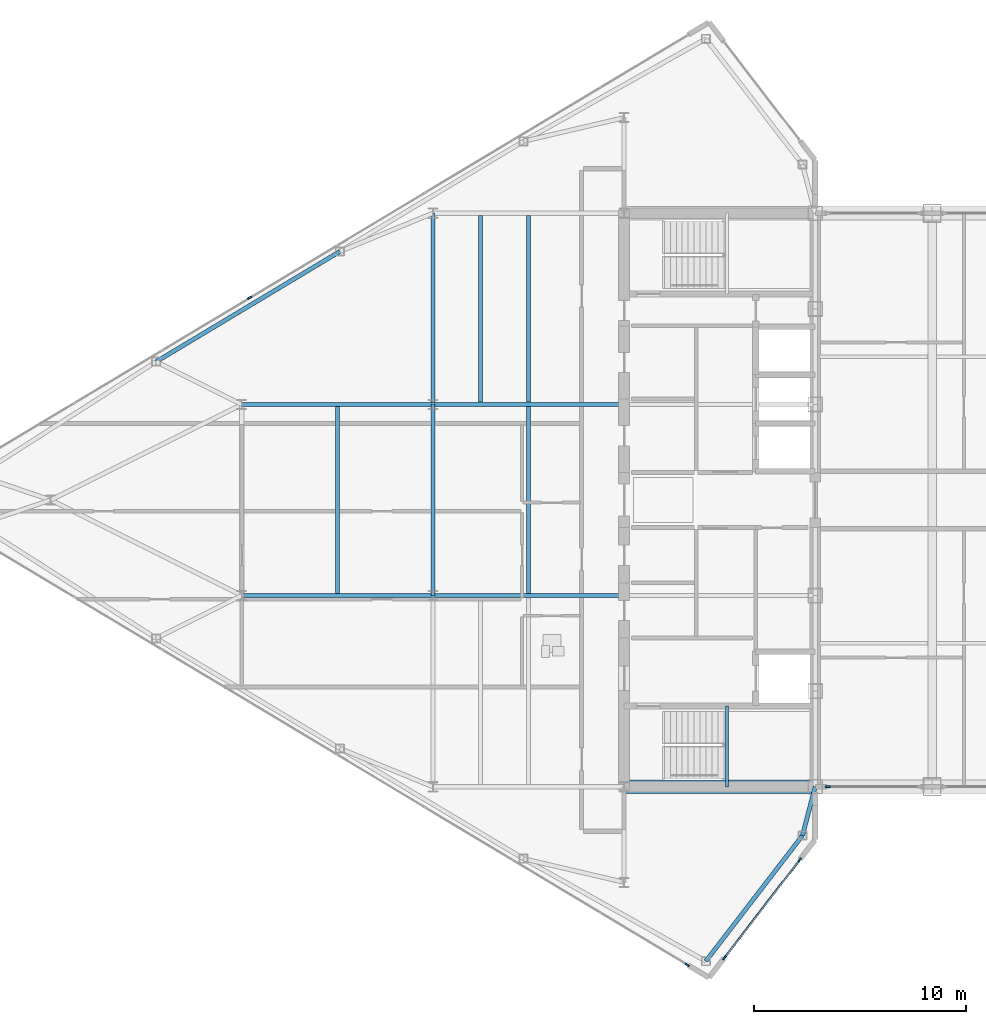
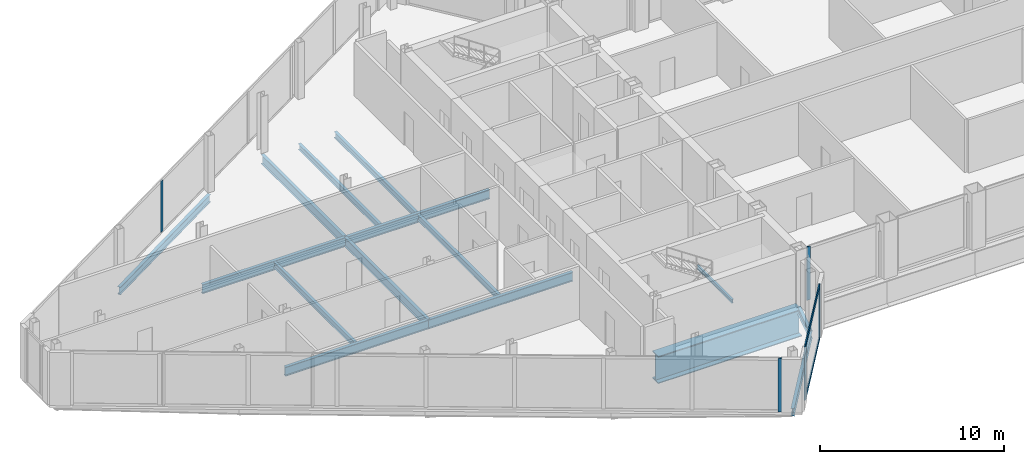
# One storey, part 9 of 29: 15 beams, 7 members, 4 elements without a shape of their own.
"""IFC4 building model written with IfcOpenShell, lengths in metres."""

from ifc_helpers import new_model, si_unit, direction, frame, origin, origin_2d, place, context, subcontext, project, spatial, rectangle, i_section, extrude, source, transform, mapped, material, layer, layer_set, material_profile, profile_set, type_object, type_shapes, element, aggregate, save


model = new_model("IFC4")

# Units and contexts
model_context = context("Model", 3, precision=1e-05, world=origin(), true_north=direction((0.0, 1.0)))
body_context = subcontext(model_context, "Body", "Model", "MODEL_VIEW")
ifc_project = project(units=[si_unit("LENGTHUNIT", "METRE"), si_unit("AREAUNIT", "SQUARE_METRE"), si_unit("VOLUMEUNIT", "CUBIC_METRE"), si_unit("PLANEANGLEUNIT", "RADIAN"), si_unit("MASSUNIT", "GRAM", prefix="KILO")], contexts=[model_context])

# Site, building, storey
site_placement = place(None, origin())
site = spatial("IfcSite", under=ifc_project, at=site_placement, CompositionType="ELEMENT")
building_placement = place(site_placement, origin())
building = spatial("IfcBuilding", under=site, at=building_placement, Name="Seokmaru Belvedere", CompositionType="ELEMENT")
storey_placement = place(building_placement, frame((0.0, 0.0, 239.39990234375)))
storey = spatial("IfcBuildingStorey", under=building, at=storey_placement, Name="L63", CompositionType="ELEMENT", Elevation=239.39990234375)

# Beams
ifc_material_1 = material(Name="Steel SM355 (355 MPa)", Category="steel")
ifc_material_profile_1 = material_profile(ifc_material_1, i_section(OverallWidth=0.199951171875, OverallDepth=0.60009765625, WebThickness=0.010986328125, FlangeThickness=0.01708984375, at=origin_2d()), Name="H-600x200x11x17")
ifc_profile_set_1 = profile_set([ifc_material_profile_1], Name="Steel SM355 (355 MPa)")
beam_type_1 = type_object("IfcBeamType", Name="Primary Floor Girder H-600", PredefinedType="BEAM", material=ifc_profile_set_1)
shared_shape_1 = source(origin(), body_context, "Body", "SweptSolid", [
    extrude(i_section(OverallWidth=0.199951171875, OverallDepth=0.60009765625, WebThickness=0.010986328125, FlangeThickness=0.01708984375, at=origin_2d()), origin(), (0.0, 0.0, 1.0), 9.0),
])
type_shapes(beam_type_1, [shared_shape_1])
for number, where, z_axis, x_axis, name in (
    (1, (-45.5, -4.5, -0.52001953125), (0.0, 1.0, 0.0), (-1.0, 0.0, 0.0), "L63 W Interior Grid Girder 2"),
    (2, (-45.5, 4.5, -0.52001953125), (0.0, 1.0, 0.0), (-1.0, 0.0, 0.0), "L63 W Interior Grid Girder 3"),
    (3, (-45.5, -4.5, -0.52001953125), (1.0, 0.0, 0.0), (0.0, 1.0, 0.0), "L63 W Wing Primary Girder 2"),
    (4, (-45.5, 4.5, -0.52001953125), (1.0, 0.0, 0.0), (0.0, 1.0, 0.0), "L63 W Wing Primary Girder 3"),
    (5, (-54.5, -4.5, -0.52001953125), (1.0, 0.0, 0.0), (0.0, 1.0, 0.0), "L63 W Outer Wing Girder 1"),
    (6, (-54.5, 4.5, -0.52001953125), (1.0, 0.0, 0.0), (0.0, 1.0, 0.0), "L63 W Outer Wing Girder 2"),
):
    element("IfcBeam", number, at=place(storey_placement, frame(where, z_axis=z_axis, x_axis=x_axis)), inside=storey, type_object=beam_type_1, Name=name, PredefinedType="BEAM", context=body_context, shape_type="MappedRepresentation", body=[
        mapped(shared_shape_1, transform((0.0, 0.0, 0.0), scale=1.0)),
    ])
ifc_material_profile_2 = material_profile(ifc_material_1, i_section(OverallWidth=0.18505859375, OverallDepth=0.389892578125, WebThickness=0.008056640625, FlangeThickness=0.011962890625, at=origin_2d()), Name="H-390x185x8x12")
ifc_profile_set_2 = profile_set([ifc_material_profile_2], Name="Steel SM355 (355 MPa)")
beam_type_2 = type_object("IfcBeamType", Name="Secondary Floor Joist H-350", PredefinedType="JOIST", material=ifc_profile_set_2)
shared_shape_2 = source(origin(), body_context, "Body", "SweptSolid", [
    extrude(i_section(OverallWidth=0.18505859375, OverallDepth=0.389892578125, WebThickness=0.008056640625, FlangeThickness=0.011962890625, at=origin_2d()), origin(), (0.0, 0.0, 1.0), 8.7900390625),
])
type_shapes(beam_type_2, [shared_shape_2])
for number, where, z_axis, x_axis, name in (
    (7, (-43.25, 4.60498046875, -0.414794921875), (0.0, 1.0, 0.0), (-1.0, 0.0, 0.0), "L63 W Wing Inner Secondary Joist 2"),
    (8, (-41.0, -4.39501953125, -0.414794921875), (0.0, 1.0, 0.0), (-1.0, 0.0, 0.0), "L63 W Secondary Floor Joist 2"),
    (9, (-41.0, 4.60498046875, -0.414794921875), (0.0, 1.0, 0.0), (-1.0, 0.0, 0.0), "L63 W Secondary Floor Joist 3"),
    (10, (-50.0, -4.39501953125, -0.414794921875), (0.0, 1.0, 0.0), (-1.0, 0.0, 0.0), "L63 W Outer Bay Secondary Joist"),
):
    element("IfcBeam", number, at=place(storey_placement, frame(where, z_axis=z_axis, x_axis=x_axis)), inside=storey, type_object=beam_type_2, Name=name, PredefinedType="JOIST", context=body_context, shape_type="MappedRepresentation", body=[
        mapped(shared_shape_2, transform((0.0, 0.0, 0.0), scale=1.0)),
    ])
ifc_material_profile_3 = material_profile(ifc_material_1, i_section(OverallWidth=0.199951171875, OverallDepth=0.5, WebThickness=0.010009765625, FlangeThickness=0.01611328125, at=origin_2d()), Name="H-500x200x10x16")
ifc_profile_set_3 = profile_set([ifc_material_profile_3], Name="Steel SM355 (355 MPa)")
beam_type_3 = type_object("IfcBeamType", Name="Perimeter Spandrel Beam H-500", PredefinedType="SPANDREL", material=ifc_profile_set_3)
shared_shape_3 = source(origin(), body_context, "Body", "SweptSolid", [
    extrude(i_section(OverallWidth=0.199951171875, OverallDepth=0.5, WebThickness=0.010009765625, FlangeThickness=0.01611328125, at=origin_2d()), origin(), (0.0, 0.0, 1.0), 10.087646484375),
])
beam_1_placement = place(storey_placement, frame((-49.8798828125, 11.698974609375, -0.469970703125), z_axis=(-0.857488654804, -0.514502873542, 0.0), x_axis=(0.514502873542, -0.857488654804, 0.0)))
element("IfcBeam", 11, at=beam_1_placement, inside=storey, type_object=beam_type_3, Name="L63 W Faceted Flank Spandrel N-3", PredefinedType="SPANDREL", context=body_context, shape_type="MappedRepresentation", body=[
    mapped(shared_shape_3, transform((0.0, 0.0, 0.0), scale=1.0)),
])
shared_shape_4 = source(origin(), body_context, "Body", "SweptSolid", [
    extrude(i_section(OverallWidth=0.199951171875, OverallDepth=0.5, WebThickness=0.010009765625, FlangeThickness=0.01611328125, at=origin_2d()), origin(), (0.0, 0.0, 1.0), 7.4619140625),
])
beam_2_placement = place(storey_placement, frame((-32.649658203125, -21.71044921875, -0.469970703125), z_axis=(0.609702854945, 0.792630070507, 0.0), x_axis=(-0.792630070507, 0.609702854945, 0.0)))
element("IfcBeam", 12, at=beam_2_placement, inside=storey, type_object=beam_type_3, Name="L63 W Shoulder Chamfer Spandrel S", PredefinedType="SPANDREL", context=body_context, shape_type="MappedRepresentation", body=[
    mapped(shared_shape_4, transform((0.0, 0.0, 0.0), scale=1.0)),
])
shared_shape_5 = source(origin(), body_context, "Body", "SweptSolid", [
    extrude(i_section(OverallWidth=0.199951171875, OverallDepth=0.5, WebThickness=0.010009765625, FlangeThickness=0.01611328125, at=origin_2d()), origin(), (0.0, 0.0, 1.0), 2.373046875),
])
type_shapes(beam_type_3, [shared_shape_3, shared_shape_4, shared_shape_5])
beam_3_placement = place(storey_placement, frame((-28.10009765625, -15.7958984375, -0.469970703125), z_axis=(0.252882558842, 0.967496982648, 0.0), x_axis=(-0.967496982648, 0.252882558842, 0.0)))
element("IfcBeam", 13, at=beam_3_placement, inside=storey, type_object=beam_type_3, Name="L63 W Shoulder Spine Spandrel S", PredefinedType="SPANDREL", context=body_context, shape_type="MappedRepresentation", body=[
    mapped(shared_shape_5, transform((0.0, 0.0, 0.0), scale=1.0)),
])
ifc_material_2 = material(Name="Steel HSA650 (650 MPa)", Category="steel")
ifc_material_profile_4 = material_profile(ifc_material_2, i_section(OverallWidth=0.64990234375, OverallDepth=1.800048828125, WebThickness=0.031982421875, FlangeThickness=0.054931640625, at=origin_2d()), Name="BH-1800x650x32x55")
ifc_profile_set_4 = profile_set([ifc_material_profile_4], Name="Steel HSA650 (650 MPa)")
beam_type_4 = type_object("IfcBeamType", Name="Sky-Gate Upper Bridge Chord Girder BH-1800", PredefinedType="BEAM", material=ifc_profile_set_4)
shared_shape_6 = source(origin(), body_context, "Body", "SweptSolid", [
    extrude(i_section(OverallWidth=0.64990234375, OverallDepth=1.800048828125, WebThickness=0.031982421875, FlangeThickness=0.054931640625, at=origin_2d()), origin(), (0.0, 0.0, 1.0), 9.0),
])
type_shapes(beam_type_4, [shared_shape_6])
beam_4_placement = place(storey_placement, frame((-36.5, -13.5, -1.119873046875), z_axis=(1.0, 0.0, 0.0), x_axis=(0.0, 1.0, 0.0)))
element("IfcBeam", 14, at=beam_4_placement, inside=storey, type_object=beam_type_4, Name="L63 Sky-Gate Transfer Truss Chord S-01", PredefinedType="BEAM", context=body_context, shape_type="MappedRepresentation", body=[
    mapped(shared_shape_6, transform((0.0, 0.0, 0.0), scale=1.0)),
])

# Curtain wall, members
ifc_material_3 = material(Name="Bronze Triple Insulating Glass", Category="glass")
ifc_layer = layer(ifc_material_3, 0.219970703125)
ifc_layer_set = layer_set([ifc_layer], Name="Bronze Triple Insulating Glass")
curtain_wall_type = type_object("IfcCurtainWallType", Name="Sky-Gate Bridge Panorama Curtain Wall System CW-6", PredefinedType="NOTDEFINED", material=ifc_layer_set)
curtain_wall_1_placement = place(storey_placement, origin())
curtain_wall_1 = element("IfcCurtainWall", 15, at=curtain_wall_1_placement, inside=storey, type_object=curtain_wall_type, Name="L63 Curtain Wall WF6", PredefinedType="NOTDEFINED")
ifc_material_4 = material(Name="Anodised Bronze Aluminium", Category="aluminium")
ifc_material_profile_5 = material_profile(ifc_material_4, rectangle(XDim=0.074951171875, YDim=0.179931640625, at=origin_2d()), Name="CW-T-75x180")
ifc_profile_set_5 = profile_set([ifc_material_profile_5], Name="Anodised Bronze Aluminium")
member_type_1 = type_object("IfcMemberType", Name="Bronze Unitised Transom 75x180", PredefinedType="USERDEFINED", material=ifc_profile_set_5)
shared_shape_7 = source(origin(), body_context, "Body", "SweptSolid", [
    extrude(rectangle(XDim=0.074951171875, YDim=0.179931640625, at=origin_2d()), origin(), (0.0, 0.0, 1.0), 5.74072265625),
])
type_shapes(member_type_1, [shared_shape_7])
member_1_placement = place(storey_placement, frame((-31.75, -21.525146484375, 0.03759765625), z_axis=(0.609686097287, 0.792642960465, 0.0), x_axis=(-0.792642960465, 0.609686097287, 0.0)))
member_1 = element("IfcMember", 16, at=member_1_placement, type_object=member_type_1, Name="CW:L63:WF6 Continuous Transom 1", ObjectType="TRANSOM", PredefinedType="USERDEFINED", context=body_context, shape_type="MappedRepresentation", body=[
    mapped(shared_shape_7, transform((0.0, 0.0, 0.0), scale=1.0)),
])
member_2_placement = place(storey_placement, frame((-31.75, -21.525146484375, 3.49267578125), z_axis=(0.609686097287, 0.792642960465, 0.0), x_axis=(-0.792642960465, 0.609686097287, 0.0)))
member_2 = element("IfcMember", 17, at=member_2_placement, type_object=member_type_1, Name="CW:L63:WF6 Continuous Transom 2", ObjectType="TRANSOM", PredefinedType="USERDEFINED", context=body_context, shape_type="MappedRepresentation", body=[
    mapped(shared_shape_7, transform((0.0, 0.0, 0.0), scale=1.0)),
])

# Curtain wall, member
curtain_wall_2_placement = place(storey_placement, origin())
curtain_wall_2 = element("IfcCurtainWall", 18, at=curtain_wall_2_placement, inside=storey, type_object=curtain_wall_type, Name="L63 Curtain Wall WF5", PredefinedType="NOTDEFINED")
ifc_material_profile_6 = material_profile(ifc_material_4, rectangle(XDim=0.080078125, YDim=0.219970703125, at=origin_2d()), Name="CW-M-80x220")
ifc_profile_set_6 = profile_set([ifc_material_profile_6], Name="Anodised Bronze Aluminium")
member_type_2 = type_object("IfcMemberType", Name="Bronze Unitised Mullion 80x220", PredefinedType="MULLION", material=ifc_profile_set_6)
shared_shape_8 = source(origin(), body_context, "Body", "SweptSolid", [
    extrude(rectangle(XDim=0.080078125, YDim=0.219970703125, at=origin_2d()), origin(), (0.0, 0.0, 1.0), 3.530029296875),
])
member_3_placement = place(storey_placement, frame((-33.5205078125, -21.8876953125, 0.0), z_axis=(0.0, 0.0, 1.0), x_axis=(0.514494909364, 0.85749343335, 0.0)))
member_3 = element("IfcMember", 19, at=member_3_placement, type_object=member_type_2, Name="CW:L63:WF5 Mullion 9", PredefinedType="MULLION", context=body_context, shape_type="MappedRepresentation", body=[
    mapped(shared_shape_8, transform((0.0, 0.0, 0.0), scale=1.0)),
])
aggregate(curtain_wall_2, [member_3])

# Member
member_4_placement = place(storey_placement, frame((-31.7744140625, -21.556884765625, 0.0), z_axis=(0.0, 0.0, 1.0), x_axis=(-0.792631353244, 0.609701187349, 0.0)))
member_4 = element("IfcMember", 20, at=member_4_placement, type_object=member_type_2, Name="CW:L63:WF6 Mullion 1", PredefinedType="MULLION", context=body_context, shape_type="MappedRepresentation", body=[
    mapped(shared_shape_8, transform((0.0, 0.0, 0.0), scale=1.0)),
])

member_5_placement = place(storey_placement, frame((-28.2255859375, -16.943115234375, 0.0), z_axis=(0.0, 0.0, 1.0), x_axis=(-0.792631353244, 0.609701187349, 0.0)))
member_5 = element("IfcMember", 21, at=member_5_placement, type_object=member_type_2, Name="CW:L63:WF6 Mullion 2", PredefinedType="MULLION", context=body_context, shape_type="MappedRepresentation", body=[
    mapped(shared_shape_8, transform((0.0, 0.0, 0.0), scale=1.0)),
])

aggregate(curtain_wall_1, [member_4, member_5, member_1, member_2])

# Curtain wall, member
curtain_wall_3_placement = place(storey_placement, origin())
curtain_wall_3 = element("IfcCurtainWall", 22, at=curtain_wall_3_placement, inside=storey, type_object=curtain_wall_type, Name="L63 Curtain Wall BR_S01", PredefinedType="NOTDEFINED")
member_6_placement = place(storey_placement, frame((-26.909912109375, -13.5, 0.0), z_axis=(0.0, 0.0, 1.0), x_axis=(0.0, 1.0, 0.0)))
member_6 = element("IfcMember", 23, at=member_6_placement, type_object=member_type_2, Name="CW:L63:BR_S01 Mullion 1", PredefinedType="MULLION", context=body_context, shape_type="MappedRepresentation", body=[
    mapped(shared_shape_8, transform((0.0, 0.0, 0.0), scale=1.0)),
])
aggregate(curtain_wall_3, [member_6])

curtain_wall_4_placement = place(storey_placement, origin())
curtain_wall_4 = element("IfcCurtainWall", 24, at=curtain_wall_4_placement, inside=storey, type_object=curtain_wall_type, Name="L63 Curtain Wall WF3", PredefinedType="NOTDEFINED")
shared_shape_9 = source(origin(), body_context, "Body", "SweptSolid", [
    extrude(rectangle(XDim=0.080078125, YDim=0.219970703125, at=origin_2d()), origin(), (0.0, 0.0, 1.0), 3.3798828125),
])
type_shapes(member_type_2, [shared_shape_8, shared_shape_9])
member_7_placement = place(storey_placement, frame((-54.12841796875, 9.52294921875, 0.0751953125), z_axis=(0.0, 0.0, 1.0), x_axis=(0.514494909364, -0.85749343335, 0.0)))
member_7 = element("IfcMember", 25, at=member_7_placement, type_object=member_type_2, Name="CW:L63:WF3 Mullion 6", PredefinedType="MULLION", context=body_context, shape_type="MappedRepresentation", body=[
    mapped(shared_shape_9, transform((0.0, 0.0, 0.0), scale=1.0)),
])
aggregate(curtain_wall_4, [member_7])

# Beam
ifc_material_profile_7 = material_profile(ifc_material_1, i_section(OverallWidth=0.125, OverallDepth=0.25, WebThickness=0.006103515625, FlangeThickness=0.009033203125, at=origin_2d()), Name="H-250x125x6x9")
ifc_profile_set_7 = profile_set([ifc_material_profile_7], Name="Steel SM355 (355 MPa)")
beam_type_5 = type_object("IfcBeamType", Name="Stair Mid-Landing Support Beam H-250", PredefinedType="JOIST", material=ifc_profile_set_7)
shared_shape_10 = source(origin(), body_context, "Body", "SweptSolid", [
    extrude(i_section(OverallWidth=0.125, OverallDepth=0.25, WebThickness=0.006103515625, FlangeThickness=0.009033203125, at=origin_2d()), origin(), (0.0, 0.0, 1.0), 3.800048828125),
])
type_shapes(beam_type_5, [shared_shape_10])
beam_5_placement = place(storey_placement, frame((-31.64990234375, -13.5, 1.550048828125), z_axis=(0.0, 1.0, 0.0), x_axis=(-1.0, 0.0, 0.0)))
element("IfcBeam", 26, at=beam_5_placement, inside=storey, type_object=beam_type_5, Name="L63 Stair ST-W1 Mid-Landing Support Beam 1", PredefinedType="JOIST", context=body_context, shape_type="MappedRepresentation", body=[
    mapped(shared_shape_10, transform((0.0, 0.0, 0.0), scale=1.0)),
])

save(model, "model.ifc")
